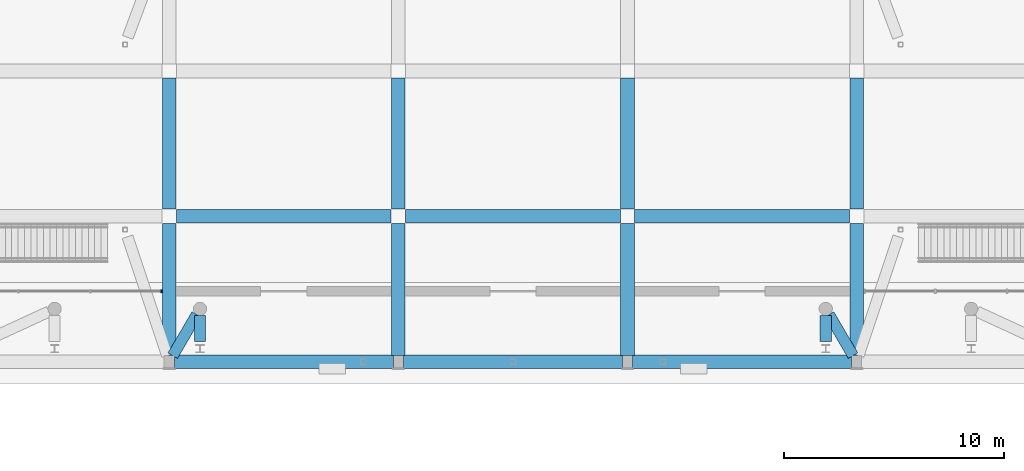
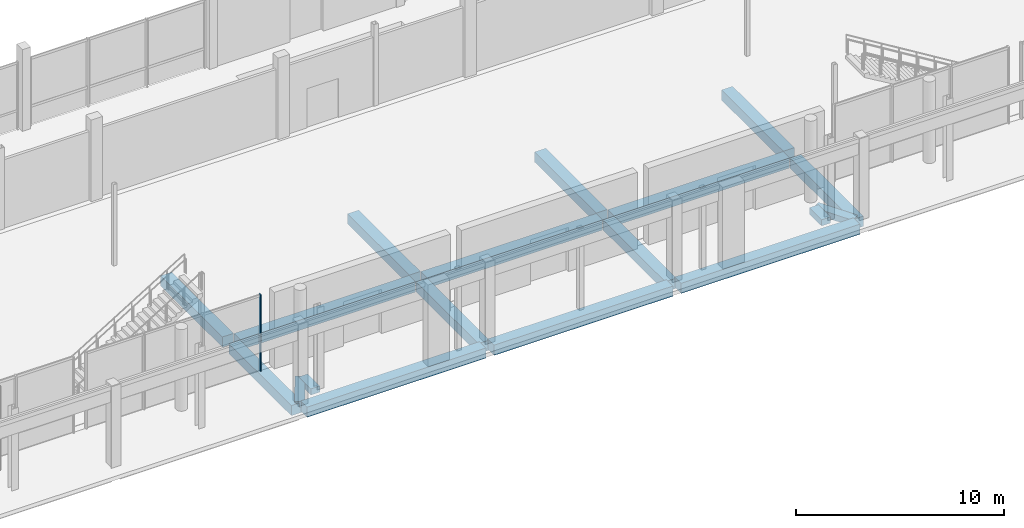
# One storey, part 28 of 88: 18 beams, 1 member, 1 element without a shape of its own.
"""IFC4 building model written with IfcOpenShell, lengths in metres."""

from ifc_helpers import new_model, si_unit, derived_unit, direction, frame, origin, origin_2d, place, context, subcontext, project, spatial, rectangle, extrude, material, material_profile, profile_set, type_object, element, aggregate, save


model = new_model("IFC4")

# Units and contexts
model_context = context("Model", 3, precision=1e-05, world=origin(), true_north=direction((0.0, 1.0)))
body_context = subcontext(model_context, "Body", "Model", "MODEL_VIEW")
ifc_project = project(units=[si_unit("LENGTHUNIT", "METRE"), si_unit("AREAUNIT", "SQUARE_METRE"), si_unit("VOLUMEUNIT", "CUBIC_METRE"), si_unit("PLANEANGLEUNIT", "RADIAN"), si_unit("MASSUNIT", "GRAM", prefix="KILO"), derived_unit("THERMALTRANSMITTANCEUNIT", [(si_unit("POWERUNIT", "WATT"), 1), (si_unit("LENGTHUNIT", "METRE"), -2), (si_unit("THERMODYNAMICTEMPERATUREUNIT", "KELVIN"), -1)])], contexts=[model_context])

# Site, building, storey
site_placement = place(None, origin())
site = spatial("IfcSite", under=ifc_project, at=site_placement, CompositionType="ELEMENT")
building_placement = place(site_placement, origin())
building = spatial("IfcBuilding", under=site, at=building_placement, Name="Braskholm Square Health Centre", CompositionType="ELEMENT")
storey_placement = place(building_placement, origin())
storey = spatial("IfcBuildingStorey", under=building, at=storey_placement, Name="L01", CompositionType="ELEMENT", Elevation=0.0)

# Curtain wall, member
ifc_material_1 = material(Name="Low-E triple insulating glass (VLT 0.64)", Category="glass")
curtain_wall_type = type_object("IfcCurtainWallType", Name="UnitisedCurtainWall6200x4400", PredefinedType="NOTDEFINED", material=ifc_material_1)
curtain_wall_placement = place(storey_placement, origin())
curtain_wall = element("IfcCurtainWall", 1, at=curtain_wall_placement, inside=storey, type_object=curtain_wall_type, Name="Hall Arcade unitised curtain wall CW-L01-0186", PredefinedType="NOTDEFINED")
ifc_material_2 = material(Name="Architectural bronze anodised aluminium", Category="aluminium")
ifc_material_profile_1 = material_profile(ifc_material_2, rectangle(XDim=0.06494140625, YDim=0.14990234375, at=origin_2d()), Name="ALU-65X150")
ifc_profile_set_1 = profile_set([ifc_material_profile_1], Name="Architectural bronze anodised aluminium")
member_type = type_object("IfcMemberType", Name="CurtainWallMullion65x150", PredefinedType="MULLION", material=ifc_profile_set_1)
member_placement = place(storey_placement, frame((68.041259765625, 90.39990234375, 0.0), z_axis=(0.0, 0.0, 1.0), x_axis=(1.0, 0.0, 0.0)))
member = element("IfcMember", 2, at=member_placement, type_object=member_type, Name="CW-L01-0186 vertical mullion 4", PredefinedType="MULLION", context=body_context, shape_type="SweptSolid", body=[
    extrude(rectangle(XDim=0.06494140625, YDim=0.14990234375, at=origin_2d()), origin(), (0.0, 0.0, 1.0), 4.5),
])
aggregate(curtain_wall, [member])

# Beams
ifc_material_3 = material(Name="Concrete C35/45 (f'c = 35 MPa)", Category="concrete")
ifc_material_profile_2 = material_profile(ifc_material_3, rectangle(XDim=0.5, YDim=0.360107421875, at=origin_2d()), Name="RCB-500X360")
ifc_profile_set_2 = profile_set([ifc_material_profile_2], Name="Concrete C35/45 (f'c = 35 MPa)")
beam_type_1 = type_object("IfcBeamType", Name="PrimaryBandBeam500x360", PredefinedType="BEAM", material=ifc_profile_set_2)
for number, where, z_axis, x_axis, name in (
    (3, (69.64990234375, 89.342529296875, -0.405029296875), (-0.503927288907, -0.863746078136, 0.0), (0.863746078136, -0.503927288907, 0.0), "Tie beam RC03 L01"),
    (4, (98.35009765625, 89.342529296875, -0.405029296875), (0.503927288907, -0.863746078136, 0.0), (0.863746078136, 0.503927288907, 0.0), "Tie beam RC04 L01"),
):
    element("IfcBeam", number, at=place(storey_placement, frame(where, z_axis=z_axis, x_axis=x_axis)), inside=storey, type_object=beam_type_1, Name=name, PredefinedType="BEAM", context=body_context, shape_type="SweptSolid", body=[
        extrude(rectangle(XDim=0.5, YDim=0.360107421875, at=origin_2d()), origin(), (0.0, 0.0, 1.0), 2.158447265625),
    ])
for number, where, z_axis, x_axis, name in (
    (5, (69.800048828125, 88.123046875, -0.405029296875), (0.0, 1.0, 0.0), (-1.0, 0.0, 0.0), "Tie beam CS1C L01"),
    (6, (98.199951171875, 88.123046875, -0.405029296875), (0.0, 1.0, 0.0), (-1.0, 0.0, 0.0), "Tie beam CS1D L01"),
):
    element("IfcBeam", number, at=place(storey_placement, frame(where, z_axis=z_axis, x_axis=x_axis)), inside=storey, type_object=beam_type_1, Name=name, PredefinedType="BEAM", context=body_context, shape_type="SweptSolid", body=[
        extrude(rectangle(XDim=0.5, YDim=0.360107421875, at=origin_2d()), origin(), (0.0, 0.0, 1.0), 1.178955078125),
    ])
ifc_material_4 = material(Name="Concrete C40/50 (f'c = 40 MPa)", Category="concrete")
ifc_material_profile_3 = material_profile(ifc_material_4, rectangle(XDim=0.6201171875, YDim=0.60009765625, at=origin_2d()), Name="RCB-620X600")
ifc_profile_set_3 = profile_set([ifc_material_profile_3], Name="Concrete C40/50 (f'c = 40 MPa)")
beam_type_2 = type_object("IfcBeamType", Name="PrimarySubstructureBeam620x600", PredefinedType="BEAM", material=ifc_profile_set_3)
beam_1_placement = place(storey_placement, frame((68.39990234375, 87.47998046875, -0.60009765625), z_axis=(0.0, 1.0, 0.0), x_axis=(-1.0, 0.0, 0.0)))
element("IfcBeam", 7, at=beam_1_placement, inside=storey, type_object=beam_type_2, Name="Beam 10/N-P L01", PredefinedType="BEAM", context=body_context, shape_type="SweptSolid", body=[
    extrude(rectangle(XDim=0.6201171875, YDim=0.60009765625, at=origin_2d()), origin(), (0.0, 0.0, 1.0), 5.9951171875),
])
beam_2_placement = place(storey_placement, frame((68.39990234375, 94.125, -0.60009765625), z_axis=(0.0, 1.0, 0.0), x_axis=(-1.0, 0.0, 0.0)))
element("IfcBeam", 8, at=beam_2_placement, inside=storey, type_object=beam_type_2, Name="Beam 10/P-Q L01", PredefinedType="BEAM", context=body_context, shape_type="SweptSolid", body=[
    extrude(rectangle(XDim=0.6201171875, YDim=0.60009765625, at=origin_2d()), origin(), (0.0, 0.0, 1.0), 5.949951171875),
])
beam_3_placement = place(storey_placement, frame((78.800048828125, 87.47998046875, -0.60009765625), z_axis=(0.0, 1.0, 0.0), x_axis=(-1.0, 0.0, 0.0)))
element("IfcBeam", 9, at=beam_3_placement, inside=storey, type_object=beam_type_2, Name="Beam 11/N-P L01", PredefinedType="BEAM", context=body_context, shape_type="SweptSolid", body=[
    extrude(rectangle(XDim=0.6201171875, YDim=0.60009765625, at=origin_2d()), origin(), (0.0, 0.0, 1.0), 5.9951171875),
])
beam_4_placement = place(storey_placement, frame((78.800048828125, 94.125, -0.60009765625), z_axis=(0.0, 1.0, 0.0), x_axis=(-1.0, 0.0, 0.0)))
element("IfcBeam", 10, at=beam_4_placement, inside=storey, type_object=beam_type_2, Name="Beam 11/P-Q L01", PredefinedType="BEAM", context=body_context, shape_type="SweptSolid", body=[
    extrude(rectangle(XDim=0.6201171875, YDim=0.60009765625, at=origin_2d()), origin(), (0.0, 0.0, 1.0), 5.949951171875),
])
beam_5_placement = place(storey_placement, frame((89.199951171875, 87.47998046875, -0.60009765625), z_axis=(0.0, 1.0, 0.0), x_axis=(-1.0, 0.0, 0.0)))
element("IfcBeam", 11, at=beam_5_placement, inside=storey, type_object=beam_type_2, Name="Beam 12/N-P L01", PredefinedType="BEAM", context=body_context, shape_type="SweptSolid", body=[
    extrude(rectangle(XDim=0.6201171875, YDim=0.60009765625, at=origin_2d()), origin(), (0.0, 0.0, 1.0), 5.9951171875),
])
beam_6_placement = place(storey_placement, frame((89.199951171875, 94.125, -0.60009765625), z_axis=(0.0, 1.0, 0.0), x_axis=(-1.0, 0.0, 0.0)))
element("IfcBeam", 12, at=beam_6_placement, inside=storey, type_object=beam_type_2, Name="Beam 12/P-Q L01", PredefinedType="BEAM", context=body_context, shape_type="SweptSolid", body=[
    extrude(rectangle(XDim=0.6201171875, YDim=0.60009765625, at=origin_2d()), origin(), (0.0, 0.0, 1.0), 5.949951171875),
])
beam_7_placement = place(storey_placement, frame((99.60009765625, 87.47998046875, -0.60009765625), z_axis=(0.0, 1.0, 0.0), x_axis=(-1.0, 0.0, 0.0)))
element("IfcBeam", 13, at=beam_7_placement, inside=storey, type_object=beam_type_2, Name="Beam 13/N-P L01", PredefinedType="BEAM", context=body_context, shape_type="SweptSolid", body=[
    extrude(rectangle(XDim=0.6201171875, YDim=0.60009765625, at=origin_2d()), origin(), (0.0, 0.0, 1.0), 5.9951171875),
])
beam_8_placement = place(storey_placement, frame((99.60009765625, 94.125, -0.60009765625), z_axis=(0.0, 1.0, 0.0), x_axis=(-1.0, 0.0, 0.0)))
element("IfcBeam", 14, at=beam_8_placement, inside=storey, type_object=beam_type_2, Name="Beam 13/P-Q L01", PredefinedType="BEAM", context=body_context, shape_type="SweptSolid", body=[
    extrude(rectangle(XDim=0.6201171875, YDim=0.60009765625, at=origin_2d()), origin(), (0.0, 0.0, 1.0), 5.949951171875),
])
beam_9_placement = place(storey_placement, frame((68.6298828125, 87.199951171875, -0.52490234375), z_axis=(1.0, 0.0, 0.0), x_axis=(0.0, 1.0, 0.0)))
element("IfcBeam", 15, at=beam_9_placement, inside=storey, type_object=beam_type_2, Name="Beam 10-11/N L01", PredefinedType="BEAM", context=body_context, shape_type="SweptSolid", body=[
    extrude(rectangle(XDim=0.6201171875, YDim=0.60009765625, at=origin_2d()), origin(), (0.0, 0.0, 1.0), 9.940185546875),
])
beam_10_placement = place(storey_placement, frame((79.030029296875, 87.199951171875, -0.52490234375), z_axis=(1.0, 0.0, 0.0), x_axis=(0.0, 1.0, 0.0)))
element("IfcBeam", 16, at=beam_10_placement, inside=storey, type_object=beam_type_2, Name="Beam 11-12/N L01", PredefinedType="BEAM", context=body_context, shape_type="SweptSolid", body=[
    extrude(rectangle(XDim=0.6201171875, YDim=0.60009765625, at=origin_2d()), origin(), (0.0, 0.0, 1.0), 9.93994140625),
])
beam_11_placement = place(storey_placement, frame((89.429931640625, 87.199951171875, -0.52490234375), z_axis=(1.0, 0.0, 0.0), x_axis=(0.0, 1.0, 0.0)))
element("IfcBeam", 17, at=beam_11_placement, inside=storey, type_object=beam_type_2, Name="Beam 12-13/N L01", PredefinedType="BEAM", context=body_context, shape_type="SweptSolid", body=[
    extrude(rectangle(XDim=0.6201171875, YDim=0.60009765625, at=origin_2d()), origin(), (0.0, 0.0, 1.0), 9.940185546875),
])
for number, where, z_axis, x_axis, name in (
    (18, (68.72509765625, 93.800048828125, -0.60009765625), (1.0, 0.0, 0.0), (0.0, 1.0, 0.0), "Beam 10-11/P L01"),
    (19, (79.125, 93.800048828125, -0.60009765625), (1.0, 0.0, 0.0), (0.0, 1.0, 0.0), "Beam 11-12/P L01"),
    (20, (89.52490234375, 93.800048828125, -0.60009765625), (1.0, 0.0, 0.0), (0.0, 1.0, 0.0), "Beam 12-13/P L01"),
):
    element("IfcBeam", number, at=place(storey_placement, frame(where, z_axis=z_axis, x_axis=x_axis)), inside=storey, type_object=beam_type_2, Name=name, PredefinedType="BEAM", context=body_context, shape_type="SweptSolid", body=[
        extrude(rectangle(XDim=0.6201171875, YDim=0.60009765625, at=origin_2d()), origin(), (0.0, 0.0, 1.0), 9.75),
    ])

save(model, "model.ifc")
